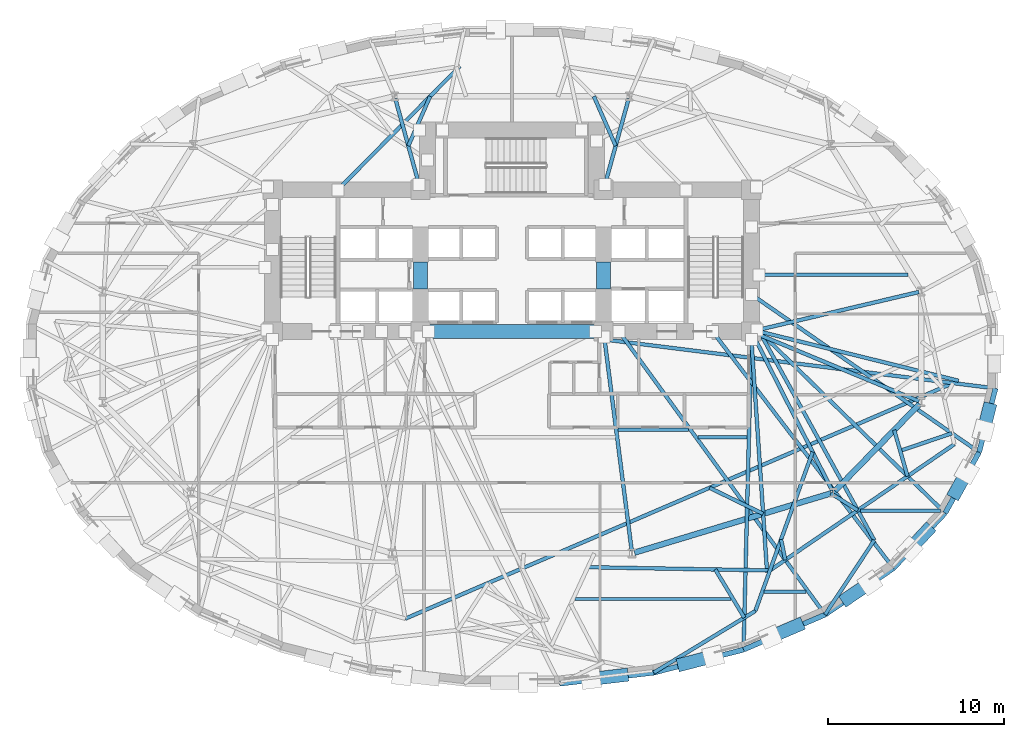
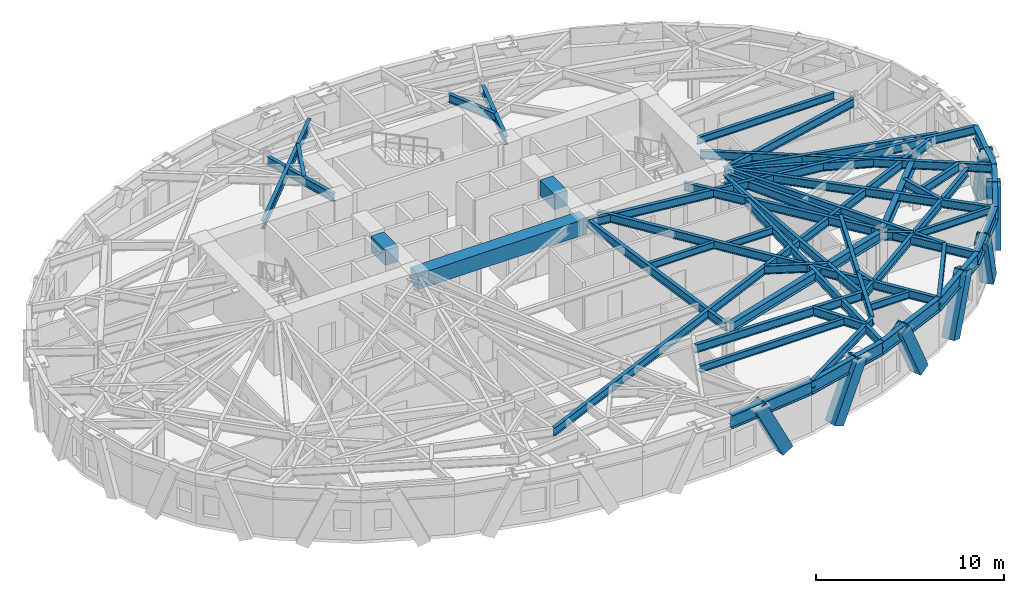
# One storey, part 3 of 14: 48 beams, 7 members.
"""IFC4 building model written with IfcOpenShell, lengths in metres."""

from ifc_helpers import new_model, si_unit, direction, frame, origin, origin_2d, place, context, subcontext, project, spatial, rectangle, hollow_rectangle, i_section, extrude, material, material_profile, profile_set, type_object, element, save


model = new_model("IFC4")

# Units and contexts
model_context = context("Model", 3, precision=1e-05, world=origin(), true_north=direction((0.0, 1.0)))
body_context = subcontext(model_context, "Body", "Model", "MODEL_VIEW")
ifc_project = project(units=[si_unit("LENGTHUNIT", "METRE"), si_unit("AREAUNIT", "SQUARE_METRE"), si_unit("VOLUMEUNIT", "CUBIC_METRE"), si_unit("PLANEANGLEUNIT", "RADIAN"), si_unit("MASSUNIT", "GRAM", prefix="KILO")], contexts=[model_context])

# Site, building, storey
site_placement = place(None, origin())
site = spatial("IfcSite", under=ifc_project, at=site_placement, CompositionType="ELEMENT")
building_placement = place(site_placement, origin())
building = spatial("IfcBuilding", under=site, at=building_placement, Name="Keldmark Tower", CompositionType="ELEMENT")
storey_placement = place(building_placement, frame((0.0, 0.0, 41.39990234375)))
storey = spatial("IfcBuildingStorey", under=building, at=storey_placement, Name="L10", CompositionType="ELEMENT", Elevation=41.39990234375)

# Beams
ifc_material_1 = material(Name="Steel ASTM A992 Grade 50", Category="steel")
ifc_material_profile_1 = material_profile(ifc_material_1, i_section(OverallWidth=0.19091796875, OverallDepth=0.45703125, WebThickness=0.009033203125, FlangeThickness=0.014404296875, at=origin_2d()), Name="W18X50")
ifc_profile_set_1 = profile_set([ifc_material_profile_1], Name="Steel ASTM A992 Grade 50")
beam_type_1 = type_object("IfcBeamType", Name="Composite Floor Joist W18X50", PredefinedType="JOIST", material=ifc_profile_set_1)
beam_1_placement = place(storey_placement, frame((3.57568359375, -13.800048828125, 3.171630859375), z_axis=(1.0, 0.0, 0.0), x_axis=(0.0, 1.0, 0.0)))
element("IfcBeam", 1, at=beam_1_placement, inside=storey, type_object=beam_type_1, Name="L10 Composite Floor Joist J02", PredefinedType="JOIST", context=body_context, shape_type="SweptSolid", body=[
    extrude(i_section(OverallWidth=0.19091796875, OverallDepth=0.45703125, WebThickness=0.009033203125, FlangeThickness=0.014404296875, at=origin_2d()), origin(), (0.0, 0.0, 1.0), 8.87353515625),
])
beam_2_placement = place(storey_placement, frame((14.321533203125, -13.3798828125, 3.171630859375), z_axis=(1.0, 0.0, 0.0), x_axis=(0.0, 1.0, 0.0)))
element("IfcBeam", 2, at=beam_2_placement, inside=storey, type_object=beam_type_1, Name="L10 Composite Floor Joist J03", PredefinedType="JOIST", context=body_context, shape_type="SweptSolid", body=[
    extrude(i_section(OverallWidth=0.19091796875, OverallDepth=0.45703125, WebThickness=0.009033203125, FlangeThickness=0.014404296875, at=origin_2d()), origin(), (0.0, 0.0, 1.0), 2.39453125),
])
beam_3_placement = place(storey_placement, frame((19.788818359375, -8.780029296875, 3.171630859375), z_axis=(1.0, 0.0, 0.0), x_axis=(0.0, 1.0, 0.0)))
element("IfcBeam", 3, at=beam_3_placement, inside=storey, type_object=beam_type_1, Name="L10 Composite Floor Joist J06", PredefinedType="JOIST", context=body_context, shape_type="SweptSolid", body=[
    extrude(i_section(OverallWidth=0.19091796875, OverallDepth=0.45703125, WebThickness=0.009033203125, FlangeThickness=0.014404296875, at=origin_2d()), origin(), (0.0, 0.0, 1.0), 4.5439453125),
])
beam_4_placement = place(storey_placement, frame((6.016845703125, -4.179931640625, 3.171630859375), z_axis=(1.0, 0.0, 0.0), x_axis=(0.0, 1.0, 0.0)))
element("IfcBeam", 4, at=beam_4_placement, inside=storey, type_object=beam_type_1, Name="L10 Composite Floor Joist J09", PredefinedType="JOIST", context=body_context, shape_type="SweptSolid", body=[
    extrude(i_section(OverallWidth=0.19091796875, OverallDepth=0.45703125, WebThickness=0.009033203125, FlangeThickness=0.014404296875, at=origin_2d()), origin(), (0.0, 0.0, 1.0), 4.003173828125),
])
beam_5_placement = place(storey_placement, frame((10.565673828125, -4.60009765625, 3.171630859375), z_axis=(1.0, 0.0, 0.0), x_axis=(0.0, 1.0, 0.0)))
element("IfcBeam", 5, at=beam_5_placement, inside=storey, type_object=beam_type_1, Name="L10 Composite Floor Joist J10", PredefinedType="JOIST", context=body_context, shape_type="SweptSolid", body=[
    extrude(i_section(OverallWidth=0.19091796875, OverallDepth=0.45703125, WebThickness=0.009033203125, FlangeThickness=0.014404296875, at=origin_2d()), origin(), (0.0, 0.0, 1.0), 2.797607421875),
])
beam_6_placement = place(storey_placement, frame((14.044921875, 4.6201171875, 3.171630859375), z_axis=(1.0, 0.0, 0.0), x_axis=(0.0, 1.0, 0.0)))
element("IfcBeam", 6, at=beam_6_placement, inside=storey, type_object=beam_type_1, Name="L10 Composite Floor Joist J13", PredefinedType="JOIST", context=body_context, shape_type="SweptSolid", body=[
    extrude(i_section(OverallWidth=0.19091796875, OverallDepth=0.45703125, WebThickness=0.009033203125, FlangeThickness=0.014404296875, at=origin_2d()), origin(), (0.0, 0.0, 1.0), 8.444580078125),
])
ifc_material_2 = material(Name="Concrete C70/85", Category="concrete")
ifc_material_profile_2 = material_profile(ifc_material_2, rectangle(XDim=0.800048828125, YDim=1.0, at=origin_2d()), Name="RCB800X1000")
ifc_profile_set_2 = profile_set([ifc_material_profile_2], Name="Concrete C70/85")
beam_type_2 = type_object("IfcBeamType", Name="Core Coupling Beam RCB800X1000", PredefinedType="USERDEFINED", material=ifc_profile_set_2)
for number, where, z_axis, x_axis, name in (
    (7, (-5.199951171875, 3.800048828125, 2.900146484375), (0.0, 1.0, 0.0), (-1.0, 0.0, 0.0), "L10 West Core Coupling Beam"),
    (8, (5.199951171875, 3.800048828125, 2.900146484375), (0.0, 1.0, 0.0), (-1.0, 0.0, 0.0), "L10 East Core Coupling Beam"),
):
    element("IfcBeam", number, at=place(storey_placement, frame(where, z_axis=z_axis, x_axis=x_axis)), inside=storey, type_object=beam_type_2, Name=name, ObjectType="COUPLING BEAM", PredefinedType="USERDEFINED", context=body_context, shape_type="SweptSolid", body=[
        extrude(rectangle(XDim=0.800048828125, YDim=1.0, at=origin_2d()), origin(), (0.0, 0.0, 1.0), 1.550048828125),
    ])
beam_7_placement = place(storey_placement, frame((-5.199951171875, 1.39990234375, 2.900146484375), z_axis=(1.0, 0.0, 0.0), x_axis=(0.0, 1.0, 0.0)))
element("IfcBeam", 9, at=beam_7_placement, inside=storey, type_object=beam_type_2, Name="L10 Central South Core Coupling Beam", ObjectType="COUPLING BEAM", PredefinedType="USERDEFINED", context=body_context, shape_type="SweptSolid", body=[
    extrude(rectangle(XDim=0.800048828125, YDim=1.0, at=origin_2d()), origin(), (0.0, 0.0, 1.0), 10.39990234375),
])

# Members
ifc_material_3 = material(Name="Steel ASTM A572 Grade 50", Category="steel")
ifc_material_profile_3 = material_profile(ifc_material_3, hollow_rectangle(XDim=0.75, YDim=0.75, WallThickness=0.06494140625, at=origin_2d()), Name="BOX750X750X65")
ifc_profile_set_3 = profile_set([ifc_material_profile_3], Name="Steel ASTM A572 Grade 50")
member_type = type_object("IfcMemberType", Name="Diagrid Lower Brace BOX750X750X65", PredefinedType="BRACE", material=ifc_profile_set_3)
member_1_placement = place(storey_placement, frame((6.2626953125, -18.132568359375, -0.27978515625), z_axis=(-0.446963157754, -0.052547874672, 0.893007646371), x_axis=(0.116762289112, -0.993159890371, 0.0)))
element("IfcMember", 10, at=member_1_placement, inside=storey, type_object=member_type, Name="L10 Perimeter Diagrid Brace 13A", PredefinedType="BRACE", context=body_context, shape_type="SweptSolid", body=[
    extrude(hollow_rectangle(XDim=0.75, YDim=0.75, WallThickness=0.06494140625, at=origin_2d()), origin(), (0.0, 0.0, 1.0), 3.986328125),
])
member_2_placement = place(storey_placement, frame((9.73388671875, -17.489501953125, -0.27978515625), z_axis=(0.428568073228, 0.109848246094, 0.896806985611), x_axis=(-0.248288387192, 0.968686160108, 0.0)))
element("IfcMember", 11, at=member_2_placement, inside=storey, type_object=member_type, Name="L10 Perimeter Diagrid Brace 13B", PredefinedType="BRACE", context=body_context, shape_type="SweptSolid", body=[
    extrude(hollow_rectangle(XDim=0.75, YDim=0.75, WallThickness=0.06494140625, at=origin_2d()), origin(), (0.0, 0.0, 1.0), 3.969482421875),
])
member_3_placement = place(storey_placement, frame((16.2138671875, -15.2958984375, -0.27978515625), z_axis=(-0.392321493555, -0.168439009879, 0.904274375201), x_axis=(0.394515266189, -0.918889386566, 0.0)))
element("IfcMember", 12, at=member_3_placement, inside=storey, type_object=member_type, Name="L10 Perimeter Diagrid Brace 14A", PredefinedType="BRACE", context=body_context, shape_type="SweptSolid", body=[
    extrude(hollow_rectangle(XDim=0.75, YDim=0.75, WallThickness=0.06494140625, at=origin_2d()), origin(), (0.0, 0.0, 1.0), 3.936767578125),
])
member_4_placement = place(storey_placement, frame((19.043701171875, -13.761474609375, -0.27978515625), z_axis=(0.333135851451, 0.225711154536, 0.915464351679), x_axis=(-0.560913692164, 0.8278742839, 0.0)))
element("IfcMember", 13, at=member_4_placement, inside=storey, type_object=member_type, Name="L10 Perimeter Diagrid Brace 14B", PredefinedType="BRACE", context=body_context, shape_type="SweptSolid", body=[
    extrude(hollow_rectangle(XDim=0.75, YDim=0.75, WallThickness=0.06494140625, at=origin_2d()), origin(), (0.0, 0.0, 1.0), 3.888427734375),
])
member_5_placement = place(storey_placement, frame((23.58349609375, -9.92138671875, -0.27978515625), z_axis=(-0.25500258471, -0.272689889737, 0.92769278634), x_axis=(0.730397557148, -0.683022260627, 0.0)))
element("IfcMember", 14, at=member_5_placement, inside=storey, type_object=member_type, Name="L10 Perimeter Diagrid Brace 15A", PredefinedType="BRACE", context=body_context, shape_type="SweptSolid", body=[
    extrude(hollow_rectangle(XDim=0.75, YDim=0.75, WallThickness=0.06494140625, at=origin_2d()), origin(), (0.0, 0.0, 1.0), 3.837158203125),
])
member_6_placement = place(storey_placement, frame((25.19873046875, -7.73193359375, -0.27978515625), z_axis=(0.169441419499, 0.303579863929, 0.937618723989), x_axis=(-0.873195871477, 0.487369438963, 0.0)))
element("IfcMember", 15, at=member_6_placement, inside=storey, type_object=member_type, Name="L10 Perimeter Diagrid Brace 15B", PredefinedType="BRACE", context=body_context, shape_type="SweptSolid", body=[
    extrude(hollow_rectangle(XDim=0.75, YDim=0.75, WallThickness=0.06494140625, at=origin_2d()), origin(), (0.0, 0.0, 1.0), 3.796630859375),
])
member_7_placement = place(storey_placement, frame((27.099365234375, -3.02294921875, -0.27978515625), z_axis=(-0.082013108125, -0.320090623266, 0.94383041008), x_axis=(0.968708564556, -0.248200960828, 0.0)))
element("IfcMember", 16, at=member_7_placement, inside=storey, type_object=member_type, Name="L10 Perimeter Diagrid Brace 16A", PredefinedType="BRACE", context=body_context, shape_type="SweptSolid", body=[
    extrude(hollow_rectangle(XDim=0.75, YDim=0.75, WallThickness=0.06494140625, at=origin_2d()), origin(), (0.0, 0.0, 1.0), 3.771728515625),
])

# Beams
ifc_material_4 = material(Name="Steel ASTM A992 Grade 50", Category="steel")
ifc_material_profile_4 = material_profile(ifc_material_4, i_section(OverallWidth=0.323974609375, OverallDepth=0.611083984375, WebThickness=0.0126953125, FlangeThickness=0.01904296875, at=origin_2d()), Name="W24X104")
ifc_profile_set_4 = profile_set([ifc_material_profile_4], Name="Steel ASTM A992 Grade 50")
beam_type_3 = type_object("IfcBeamType", Name="Primary Floor Girder W24X104", PredefinedType="BEAM", material=ifc_profile_set_4)
beam_8_placement = place(storey_placement, frame((6.9560546875, -11.165283203125, 3.094482421875), z_axis=(0.957346071406, 0.2889437654, 0.0), x_axis=(-0.2889437654, 0.957346071406, 0.0)))
element("IfcBeam", 17, at=beam_8_placement, inside=storey, type_object=beam_type_3, Name="L10 Floor Ring Girder FG-R10", PredefinedType="BEAM", context=body_context, shape_type="SweptSolid", body=[
    extrude(i_section(OverallWidth=0.323974609375, OverallDepth=0.611083984375, WebThickness=0.0126953125, FlangeThickness=0.01904296875, at=origin_2d()), origin(), (0.0, 0.0, 1.0), 11.66015625),
])
beam_9_placement = place(storey_placement, frame((18.350341796875, -7.6552734375, 3.094482421875), z_axis=(0.697210382268, 0.716866572563, 0.0), x_axis=(-0.716866572563, 0.697210382268, 0.0)))
element("IfcBeam", 18, at=beam_9_placement, inside=storey, type_object=beam_type_3, Name="L10 Floor Ring Girder FG-R11", PredefinedType="BEAM", context=body_context, shape_type="SweptSolid", body=[
    extrude(i_section(OverallWidth=0.323974609375, OverallDepth=0.611083984375, WebThickness=0.0126953125, FlangeThickness=0.01904296875, at=origin_2d()), origin(), (0.0, 0.0, 1.0), 6.893310546875),
])
ifc_material_5 = material(Name="Steel ASTM A992 Grade 50", Category="steel")
ifc_material_profile_5 = material_profile(ifc_material_5, i_section(OverallWidth=0.2099609375, OverallDepth=0.537109375, WebThickness=0.010986328125, FlangeThickness=0.017333984375, at=origin_2d()), Name="W21X68")
ifc_profile_set_5 = profile_set([ifc_material_profile_5], Name="Steel ASTM A992 Grade 50")
beam_type_4 = type_object("IfcBeamType", Name="Radial Tie Girder W21X68", PredefinedType="BEAM", material=ifc_profile_set_5)
for number, where, z_axis, x_axis, name in (
    (19, (5.889404296875, 11.948486328125, 3.131591796875), (-0.403401535143, 0.915023060608, 0.0), (-0.915023060608, -0.403401535143, 0.0), "L10 Framing Pin Header PH-002"),
    (20, (-5.889404296875, 11.948486328125, 3.131591796875), (0.403401535143, 0.915023060608, 0.0), (-0.915023060608, 0.403401535143, 0.0), "L10 Framing Pin Header PH-003"),
):
    element("IfcBeam", number, at=place(storey_placement, frame(where, z_axis=z_axis, x_axis=x_axis)), inside=storey, type_object=beam_type_4, Name=name, PredefinedType="BEAM", context=body_context, shape_type="SweptSolid", body=[
        extrude(i_section(OverallWidth=0.2099609375, OverallDepth=0.537109375, WebThickness=0.010986328125, FlangeThickness=0.017333984375, at=origin_2d()), origin(), (0.0, 0.0, 1.0), 3.072509765625),
    ])
beam_10_placement = place(storey_placement, frame((-9.892822265625, 9.449951171875, 3.131591796875), z_axis=(0.702598504383, 0.711586496245, 0.0), x_axis=(-0.711586496245, 0.702598504383, 0.0)))
element("IfcBeam", 21, at=beam_10_placement, inside=storey, type_object=beam_type_4, Name="L10 Sub-Ring Step Girder STP1-M04", PredefinedType="BEAM", context=body_context, shape_type="SweptSolid", body=[
    extrude(i_section(OverallWidth=0.2099609375, OverallDepth=0.537109375, WebThickness=0.010986328125, FlangeThickness=0.017333984375, at=origin_2d()), origin(), (0.0, 0.0, 1.0), 9.860107421875),
])
beam_11_placement = place(storey_placement, frame((14.050048828125, 1.39990234375, 3.131591796875), z_axis=(0.970791969309, -0.239922804929, 0.0), x_axis=(0.239922804929, 0.970791969309, 0.0)))
element("IfcBeam", 22, at=beam_11_placement, inside=storey, type_object=beam_type_4, Name="L10 Sub-Ring Step Girder STP1-M12", PredefinedType="BEAM", context=body_context, shape_type="SweptSolid", body=[
    extrude(i_section(OverallWidth=0.2099609375, OverallDepth=0.537109375, WebThickness=0.010986328125, FlangeThickness=0.017333984375, at=origin_2d()), origin(), (0.0, 0.0, 1.0), 11.656494140625),
])
beam_12_placement = place(storey_placement, frame((-6.0634765625, -14.916015625, 3.131591796875), z_axis=(0.91862010832, 0.395141868942, 0.0), x_axis=(-0.395141868942, 0.91862010832, 0.0)))
element("IfcBeam", 23, at=beam_12_placement, inside=storey, type_object=beam_type_4, Name="L10 Perimeter Collector Ring Beam CRG1-M09", PredefinedType="BEAM", context=body_context, shape_type="SweptSolid", body=[
    extrude(i_section(OverallWidth=0.2099609375, OverallDepth=0.537109375, WebThickness=0.010986328125, FlangeThickness=0.017333984375, at=origin_2d()), origin(), (0.0, 0.0, 1.0), 34.2138671875),
])
beam_13_placement = place(storey_placement, frame((11.22265625, -7.48046875, 3.131591796875), z_axis=(0.899644164592, -0.436623839381, 0.0), x_axis=(0.436623839381, 0.899644164592, 0.0)))
element("IfcBeam", 24, at=beam_13_placement, inside=storey, type_object=beam_type_4, Name="L10 Framing Pin Header PH-014", PredefinedType="BEAM", context=body_context, shape_type="SweptSolid", body=[
    extrude(i_section(OverallWidth=0.2099609375, OverallDepth=0.537109375, WebThickness=0.010986328125, FlangeThickness=0.017333984375, at=origin_2d()), origin(), (0.0, 0.0, 1.0), 3.385009765625),
])
beam_14_placement = place(storey_placement, frame((13.60009765625, 0.949951171875, 3.131591796875), z_axis=(0.067249465921, -0.997736192254, 0.0), x_axis=(0.997736192254, 0.067249465921, 0.0)))
element("IfcBeam", 25, at=beam_14_placement, inside=storey, type_object=beam_type_4, Name="L10 Sub-Ring Step Girder STP2-M11", PredefinedType="BEAM", context=body_context, shape_type="SweptSolid", body=[
    extrude(i_section(OverallWidth=0.2099609375, OverallDepth=0.537109375, WebThickness=0.010986328125, FlangeThickness=0.017333984375, at=origin_2d()), origin(), (0.0, 0.0, 1.0), 13.265380859375),
])
beam_15_placement = place(storey_placement, frame((14.4921875, -12.285400390625, 3.131591796875), z_axis=(0.82527984309, 0.564723986199, 0.0), x_axis=(-0.564723986199, 0.82527984309, 0.0)))
element("IfcBeam", 26, at=beam_15_placement, inside=storey, type_object=beam_type_4, Name="L10 Perimeter Collector Ring Beam CRG2-M11", PredefinedType="BEAM", context=body_context, shape_type="SweptSolid", body=[
    extrude(i_section(OverallWidth=0.2099609375, OverallDepth=0.537109375, WebThickness=0.010986328125, FlangeThickness=0.017333984375, at=origin_2d()), origin(), (0.0, 0.0, 1.0), 12.886474609375),
])
beam_16_placement = place(storey_placement, frame((4.3115234375, -11.99169921875, 3.131591796875), z_axis=(0.99984245989, -0.017749800043, 0.0), x_axis=(0.017749800043, 0.99984245989, 0.0)))
element("IfcBeam", 27, at=beam_16_placement, inside=storey, type_object=beam_type_4, Name="L10 Framing Pin Header PH-037", PredefinedType="BEAM", context=body_context, shape_type="SweptSolid", body=[
    extrude(i_section(OverallWidth=0.2099609375, OverallDepth=0.537109375, WebThickness=0.010986328125, FlangeThickness=0.017333984375, at=origin_2d()), origin(), (0.0, 0.0, 1.0), 10.343505859375),
])
beam_17_placement = place(storey_placement, frame((17.078369140625, -5.4443359375, 3.131591796875), z_axis=(-0.338967889835, -0.940797943057, 0.0), x_axis=(0.940797943057, -0.338967889835, 0.0)))
element("IfcBeam", 28, at=beam_17_placement, inside=storey, type_object=beam_type_4, Name="L10 Intermediate Radial Step Girder RT-27M", PredefinedType="BEAM", context=body_context, shape_type="SweptSolid", body=[
    extrude(i_section(OverallWidth=0.2099609375, OverallDepth=0.537109375, WebThickness=0.010986328125, FlangeThickness=0.017333984375, at=origin_2d()), origin(), (0.0, 0.0, 1.0), 9.6044921875),
])
beam_18_placement = place(storey_placement, frame((8.05029296875, -17.982666015625, 3.131591796875), z_axis=(0.854936428272, 0.51873278633, 0.0), x_axis=(-0.51873278633, 0.854936428272, 0.0)))
element("IfcBeam", 29, at=beam_18_placement, inside=storey, type_object=beam_type_4, Name="L10 Local Collector Chord RT-27C", PredefinedType="BEAM", context=body_context, shape_type="SweptSolid", body=[
    extrude(i_section(OverallWidth=0.2099609375, OverallDepth=0.537109375, WebThickness=0.010986328125, FlangeThickness=0.017333984375, at=origin_2d()), origin(), (0.0, 0.0, 1.0), 6.751953125),
])
beam_19_placement = place(storey_placement, frame((11.55078125, -12.120361328125, 3.131591796875), z_axis=(0.515843130065, -0.856683059926, 0.0), x_axis=(0.856683059926, 0.515843130065, 0.0)))
element("IfcBeam", 30, at=beam_19_placement, inside=storey, type_object=beam_type_4, Name="L10 Framing Pin Header PH-038", PredefinedType="BEAM", context=body_context, shape_type="SweptSolid", body=[
    extrude(i_section(OverallWidth=0.2099609375, OverallDepth=0.537109375, WebThickness=0.010986328125, FlangeThickness=0.017333984375, at=origin_2d()), origin(), (0.0, 0.0, 1.0), 3.196044921875),
])
beam_20_placement = place(storey_placement, frame((13.60009765625, 0.949951171875, 3.131591796875), z_axis=(-0.02534127953, -0.99967885821, 0.0), x_axis=(0.99967885821, -0.02534127953, 0.0)))
element("IfcBeam", 31, at=beam_20_placement, inside=storey, type_object=beam_type_4, Name="L10 Perimeter Radial Tie Girder RT-27", PredefinedType="BEAM", context=body_context, shape_type="SweptSolid", body=[
    extrude(i_section(OverallWidth=0.2099609375, OverallDepth=0.537109375, WebThickness=0.010986328125, FlangeThickness=0.017333984375, at=origin_2d()), origin(), (0.0, 0.0, 1.0), 17.63037109375),
])
beam_21_placement = place(storey_placement, frame((15.287841796875, -10.4140625, 3.131591796875), z_axis=(0.199630044772, -0.979871341159, 0.0), x_axis=(0.979871341159, 0.199630044772, 0.0)))
element("IfcBeam", 32, at=beam_21_placement, inside=storey, type_object=beam_type_4, Name="L10 Framing Pin Header PH-039", PredefinedType="BEAM", context=body_context, shape_type="SweptSolid", body=[
    extrude(i_section(OverallWidth=0.2099609375, OverallDepth=0.537109375, WebThickness=0.010986328125, FlangeThickness=0.017333984375, at=origin_2d()), origin(), (0.0, 0.0, 1.0), 1.188720703125),
])
beam_22_placement = place(storey_placement, frame((6.07861328125, 1.39990234375, 3.131591796875), z_axis=(0.588470082326, -0.808518993102, 0.0), x_axis=(0.808518993102, 0.588470082326, 0.0)))
element("IfcBeam", 33, at=beam_22_placement, inside=storey, type_object=beam_type_4, Name="L10 Perimeter Radial Tie Girder RT-28", PredefinedType="BEAM", context=body_context, shape_type="SweptSolid", body=[
    extrude(i_section(OverallWidth=0.2099609375, OverallDepth=0.537109375, WebThickness=0.010986328125, FlangeThickness=0.017333984375, at=origin_2d()), origin(), (0.0, 0.0, 1.0), 19.895263671875),
])
beam_23_placement = place(storey_placement, frame((18.118896484375, -7.796142578125, 3.131591796875), z_axis=(0.845948150047, -0.533265156776, 0.0), x_axis=(0.533265156776, 0.845948150047, 0.0)))
element("IfcBeam", 34, at=beam_23_placement, inside=storey, type_object=beam_type_4, Name="L10 Framing Pin Header PH-040", PredefinedType="BEAM", context=body_context, shape_type="SweptSolid", body=[
    extrude(i_section(OverallWidth=0.2099609375, OverallDepth=0.537109375, WebThickness=0.010986328125, FlangeThickness=0.017333984375, at=origin_2d()), origin(), (0.0, 0.0, 1.0), 1.80517578125),
])
beam_24_placement = place(storey_placement, frame((14.050048828125, 1.39990234375, 3.131591796875), z_axis=(0.482477991977, -0.875908092929, 0.0), x_axis=(0.875908092929, 0.482477991977, 0.0)))
element("IfcBeam", 35, at=beam_24_placement, inside=storey, type_object=beam_type_4, Name="L10 Intermediate Radial Step Girder RT-29M", PredefinedType="BEAM", context=body_context, shape_type="SweptSolid", body=[
    extrude(i_section(OverallWidth=0.2099609375, OverallDepth=0.537109375, WebThickness=0.010986328125, FlangeThickness=0.017333984375, at=origin_2d()), origin(), (0.0, 0.0, 1.0), 13.538330078125),
])
beam_25_placement = place(storey_placement, frame((17.786376953125, -14.685791015625, 3.131591796875), z_axis=(0.551617097715, 0.834097462836, 0.0), x_axis=(-0.834097462836, 0.551617097715, 0.0)))
element("IfcBeam", 36, at=beam_25_placement, inside=storey, type_object=beam_type_4, Name="L10 Local Collector Chord RT-29C", PredefinedType="BEAM", context=body_context, shape_type="SweptSolid", body=[
    extrude(i_section(OverallWidth=0.2099609375, OverallDepth=0.537109375, WebThickness=0.010986328125, FlangeThickness=0.017333984375, at=origin_2d()), origin(), (0.0, 0.0, 1.0), 5.068115234375),
])
beam_26_placement = place(storey_placement, frame((11.392822265625, 1.39990234375, 3.131591796875), z_axis=(0.607192621038, -0.794554668325, 0.0), x_axis=(0.794554668325, 0.607192621038, 0.0)))
element("IfcBeam", 37, at=beam_26_placement, inside=storey, type_object=beam_type_4, Name="L10 Perimeter Radial Tie Girder RT-29", PredefinedType="BEAM", context=body_context, shape_type="SweptSolid", body=[
    extrude(i_section(OverallWidth=0.2099609375, OverallDepth=0.537109375, WebThickness=0.010986328125, FlangeThickness=0.017333984375, at=origin_2d()), origin(), (0.0, 0.0, 1.0), 16.930419921875),
])
beam_27_placement = place(storey_placement, frame((21.714599609375, -4.196044921875, 3.131591796875), z_axis=(0.276523764245, -0.961007079999, 0.0), x_axis=(0.961007079999, 0.276523764245, 0.0)))
element("IfcBeam", 38, at=beam_27_placement, inside=storey, type_object=beam_type_4, Name="L10 Framing Pin Header PH-041", PredefinedType="BEAM", context=body_context, shape_type="SweptSolid", body=[
    extrude(i_section(OverallWidth=0.2099609375, OverallDepth=0.537109375, WebThickness=0.010986328125, FlangeThickness=0.017333984375, at=origin_2d()), origin(), (0.0, 0.0, 1.0), 2.736083984375),
])
beam_28_placement = place(storey_placement, frame((14.050048828125, 1.39990234375, 3.131591796875), z_axis=(0.715378294414, -0.698737358298, 0.0), x_axis=(0.698737358298, 0.715378294414, 0.0)))
element("IfcBeam", 39, at=beam_28_placement, inside=storey, type_object=beam_type_4, Name="L10 Perimeter Radial Tie Girder RT-30", PredefinedType="BEAM", context=body_context, shape_type="SweptSolid", body=[
    extrude(i_section(OverallWidth=0.2099609375, OverallDepth=0.537109375, WebThickness=0.010986328125, FlangeThickness=0.017333984375, at=origin_2d()), origin(), (0.0, 0.0, 1.0), 14.759033203125),
])
beam_29_placement = place(storey_placement, frame((22.05517578125, -5.37939453125, 3.131591796875), z_axis=(0.946872084839, 0.321610408651, 0.0), x_axis=(-0.321610408651, 0.946872084839, 0.0)))
element("IfcBeam", 40, at=beam_29_placement, inside=storey, type_object=beam_type_4, Name="L10 Framing Pin Header PH-042", PredefinedType="BEAM", context=body_context, shape_type="SweptSolid", body=[
    extrude(i_section(OverallWidth=0.2099609375, OverallDepth=0.537109375, WebThickness=0.010986328125, FlangeThickness=0.017333984375, at=origin_2d()), origin(), (0.0, 0.0, 1.0), 3.099365234375),
])
beam_30_placement = place(storey_placement, frame((13.60009765625, 3.507080078125, 3.131591796875), z_axis=(0.822045857539, -0.569421292281, 0.0), x_axis=(0.569421292281, 0.822045857539, 0.0)))
element("IfcBeam", 41, at=beam_30_placement, inside=storey, type_object=beam_type_4, Name="L10 Perimeter Radial Tie Girder RT-31", PredefinedType="BEAM", context=body_context, shape_type="SweptSolid", body=[
    extrude(i_section(OverallWidth=0.2099609375, OverallDepth=0.537109375, WebThickness=0.010986328125, FlangeThickness=0.017333984375, at=origin_2d()), origin(), (0.0, 0.0, 1.0), 15.739013671875),
])
beam_31_placement = place(storey_placement, frame((5.199951171875, 0.949951171875, 3.131591796875), z_axis=(0.992279383121, -0.124022682736, 0.0), x_axis=(0.124022682736, 0.992279383121, 0.0)))
element("IfcBeam", 42, at=beam_31_placement, inside=storey, type_object=beam_type_4, Name="L10 Perimeter Radial Tie Girder RT-32", PredefinedType="BEAM", context=body_context, shape_type="SweptSolid", body=[
    extrude(i_section(OverallWidth=0.2099609375, OverallDepth=0.537109375, WebThickness=0.010986328125, FlangeThickness=0.017333984375, at=origin_2d()), origin(), (0.0, 0.0, 1.0), 22.439208984375),
])
ifc_material_6 = material(Name="Steel ASTM A992 Grade 50", Category="steel")
ifc_material_profile_6 = material_profile(ifc_material_6, i_section(OverallWidth=0.214111328125, OverallDepth=0.549072265625, WebThickness=0.0146484375, FlangeThickness=0.023681640625, at=origin_2d()), Name="W21X93")
ifc_profile_set_6 = profile_set([ifc_material_profile_6], Name="Steel ASTM A992 Grade 50")
beam_type_5 = type_object("IfcBeamType", Name="Radial Tie Girder W21X93", PredefinedType="BEAM", material=ifc_profile_set_6)
beam_32_placement = place(storey_placement, frame((23.11767578125, 3.64501953125, 3.12548828125), z_axis=(-0.973287364179, -0.229590301909, 0.0), x_axis=(0.229590301909, -0.973287364179, 0.0)))
element("IfcBeam", 43, at=beam_32_placement, inside=storey, type_object=beam_type_5, Name="L10 Floor Radial Girder FG-C01", PredefinedType="BEAM", context=body_context, shape_type="SweptSolid", body=[
    extrude(i_section(OverallWidth=0.214111328125, OverallDepth=0.549072265625, WebThickness=0.0146484375, FlangeThickness=0.023681640625, at=origin_2d()), origin(), (0.0, 0.0, 1.0), 9.458740234375),
])
for number, where, z_axis, x_axis, name in (
    (44, (6.6279296875, 14.625, 3.12548828125), (-0.265984786353, -0.963977226613, 0.0), (0.963977226613, -0.265984786353, 0.0), "L10 Floor Radial Girder FG-C03"),
    (45, (-6.6279296875, 14.625, 3.12548828125), (0.265984786353, -0.963977226613, 0.0), (0.963977226613, 0.265984786353, 0.0), "L10 Floor Radial Girder FG-C04"),
):
    element("IfcBeam", number, at=place(storey_placement, frame(where, z_axis=z_axis, x_axis=x_axis)), inside=storey, type_object=beam_type_5, Name=name, PredefinedType="BEAM", context=body_context, shape_type="SweptSolid", body=[
        extrude(i_section(OverallWidth=0.214111328125, OverallDepth=0.549072265625, WebThickness=0.0146484375, FlangeThickness=0.023681640625, at=origin_2d()), origin(), (0.0, 0.0, 1.0), 5.04833984375),
    ])
beam_33_placement = place(storey_placement, frame((6.80419921875, -11.06689453125, 3.12548828125), z_axis=(-0.127634898593, 0.99182122011, 0.0), x_axis=(-0.99182122011, -0.127634898593, 0.0)))
element("IfcBeam", 46, at=beam_33_placement, inside=storey, type_object=beam_type_5, Name="L10 Floor Radial Girder FG-C10", PredefinedType="BEAM", context=body_context, shape_type="SweptSolid", body=[
    extrude(i_section(OverallWidth=0.214111328125, OverallDepth=0.549072265625, WebThickness=0.0146484375, FlangeThickness=0.023681640625, at=origin_2d()), origin(), (0.0, 0.0, 1.0), 12.24951171875),
])
beam_34_placement = place(storey_placement, frame((18.189453125, -7.630859375, 3.12548828125), z_axis=(-0.453037526986, 0.891491446478, 0.0), x_axis=(-0.891491446478, -0.453037526986, 0.0)))
element("IfcBeam", 47, at=beam_34_placement, inside=storey, type_object=beam_type_5, Name="L10 Floor Radial Girder FG-C11", PredefinedType="BEAM", context=body_context, shape_type="SweptSolid", body=[
    extrude(i_section(OverallWidth=0.214111328125, OverallDepth=0.549072265625, WebThickness=0.0146484375, FlangeThickness=0.023681640625, at=origin_2d()), origin(), (0.0, 0.0, 1.0), 9.81005859375),
])
beam_35_placement = place(storey_placement, frame((23.124755859375, -2.5595703125, 3.12548828125), z_axis=(-0.923390978102, 0.383860784088, 0.0), x_axis=(-0.383860784088, -0.923390978102, 0.0)))
element("IfcBeam", 48, at=beam_35_placement, inside=storey, type_object=beam_type_5, Name="L10 Floor Radial Girder FG-C12", PredefinedType="BEAM", context=body_context, shape_type="SweptSolid", body=[
    extrude(i_section(OverallWidth=0.214111328125, OverallDepth=0.549072265625, WebThickness=0.0146484375, FlangeThickness=0.023681640625, at=origin_2d()), origin(), (0.0, 0.0, 1.0), 9.994873046875),
])
ifc_material_7 = material(Name="Steel ASTM A992 Grade 50", Category="steel")
ifc_material_profile_7 = material_profile(ifc_material_7, i_section(OverallWidth=0.2919921875, OverallDepth=0.85888671875, WebThickness=0.01708984375, FlangeThickness=0.031005859375, at=origin_2d()), Name="W33X169")
ifc_profile_set_7 = profile_set([ifc_material_profile_7], Name="Steel ASTM A992 Grade 50")
beam_type_6 = type_object("IfcBeamType", Name="Spandrel Ring Beam W33X169", PredefinedType="SPANDREL", material=ifc_profile_set_7)
beam_36_placement = place(storey_placement, frame((2.705078125, -18.611083984375, 2.970703125), z_axis=(0.993159890371, 0.116762289112, 0.0), x_axis=(-0.116762289112, 0.993159890371, 0.0)))
element("IfcBeam", 49, at=beam_36_placement, inside=storey, type_object=beam_type_6, Name="L10 Perimeter Spandrel Ring Beam SRB-25", PredefinedType="SPANDREL", context=body_context, shape_type="SweptSolid", body=[
    extrude(i_section(OverallWidth=0.2919921875, OverallDepth=0.85888671875, WebThickness=0.01708984375, FlangeThickness=0.031005859375, at=origin_2d()), origin(), (0.0, 0.0, 1.0), 5.382080078125),
])
beam_37_placement = place(storey_placement, frame((8.05029296875, -17.982666015625, 2.970703125), z_axis=(0.968691592339, 0.248267192621, 0.0), x_axis=(-0.248267192621, 0.968691592339, 0.0)))
element("IfcBeam", 50, at=beam_37_placement, inside=storey, type_object=beam_type_6, Name="L10 Perimeter Spandrel Ring Beam SRB-26", PredefinedType="SPANDREL", context=body_context, shape_type="SweptSolid", body=[
    extrude(i_section(OverallWidth=0.2919921875, OverallDepth=0.85888671875, WebThickness=0.01708984375, FlangeThickness=0.031005859375, at=origin_2d()), origin(), (0.0, 0.0, 1.0), 5.26806640625),
])
beam_38_placement = place(storey_placement, frame((13.1533203125, -16.6748046875, 2.970703125), z_axis=(0.91889940345, 0.394491934442, 0.0), x_axis=(-0.394491934442, 0.91889940345, 0.0)))
element("IfcBeam", 51, at=beam_38_placement, inside=storey, type_object=beam_type_6, Name="L10 Perimeter Spandrel Ring Beam SRB-27", PredefinedType="SPANDREL", context=body_context, shape_type="SweptSolid", body=[
    extrude(i_section(OverallWidth=0.2919921875, OverallDepth=0.85888671875, WebThickness=0.01708984375, FlangeThickness=0.031005859375, at=origin_2d()), origin(), (0.0, 0.0, 1.0), 5.0419921875),
])
beam_39_placement = place(storey_placement, frame((17.786376953125, -14.685791015625, 2.970703125), z_axis=(0.827842346852, 0.560960826402, 0.0), x_axis=(-0.560960826402, 0.827842346852, 0.0)))
element("IfcBeam", 52, at=beam_39_placement, inside=storey, type_object=beam_type_6, Name="L10 Perimeter Spandrel Ring Beam SRB-28", PredefinedType="SPANDREL", context=body_context, shape_type="SweptSolid", body=[
    extrude(i_section(OverallWidth=0.2919921875, OverallDepth=0.85888671875, WebThickness=0.01708984375, FlangeThickness=0.031005859375, at=origin_2d()), origin(), (0.0, 0.0, 1.0), 4.69482421875),
])
beam_40_placement = place(storey_placement, frame((21.6728515625, -12.05224609375, 2.970703125), z_axis=(0.68299392258, 0.730424056093, 0.0), x_axis=(-0.730424056093, 0.68299392258, 0.0)))
element("IfcBeam", 53, at=beam_40_placement, inside=storey, type_object=beam_type_6, Name="L10 Perimeter Spandrel Ring Beam SRB-29", PredefinedType="SPANDREL", context=body_context, shape_type="SweptSolid", body=[
    extrude(i_section(OverallWidth=0.2919921875, OverallDepth=0.85888671875, WebThickness=0.01708984375, FlangeThickness=0.031005859375, at=origin_2d()), origin(), (0.0, 0.0, 1.0), 4.298095703125),
])
beam_41_placement = place(storey_placement, frame((24.6083984375, -8.912841796875, 2.970703125), z_axis=(0.487369438963, 0.873195871477, 0.0), x_axis=(-0.873195871477, 0.487369438963, 0.0)))
element("IfcBeam", 54, at=beam_41_placement, inside=storey, type_object=beam_type_6, Name="L10 Perimeter Spandrel Ring Beam SRB-30", PredefinedType="SPANDREL", context=body_context, shape_type="SweptSolid", body=[
    extrude(i_section(OverallWidth=0.2919921875, OverallDepth=0.85888671875, WebThickness=0.01708984375, FlangeThickness=0.031005859375, at=origin_2d()), origin(), (0.0, 0.0, 1.0), 3.9599609375),
])
beam_42_placement = place(storey_placement, frame((26.538330078125, -5.455078125, 2.970703125), z_axis=(0.248062710061, 0.968743976434, 0.0), x_axis=(-0.968743976434, 0.248062710061, 0.0)))
element("IfcBeam", 55, at=beam_42_placement, inside=storey, type_object=beam_type_6, Name="L10 Perimeter Spandrel Ring Beam SRB-31", PredefinedType="SPANDREL", context=body_context, shape_type="SweptSolid", body=[
    extrude(i_section(OverallWidth=0.2919921875, OverallDepth=0.85888671875, WebThickness=0.01708984375, FlangeThickness=0.031005859375, at=origin_2d()), origin(), (0.0, 0.0, 1.0), 3.739013671875),
])

save(model, "model.ifc")
